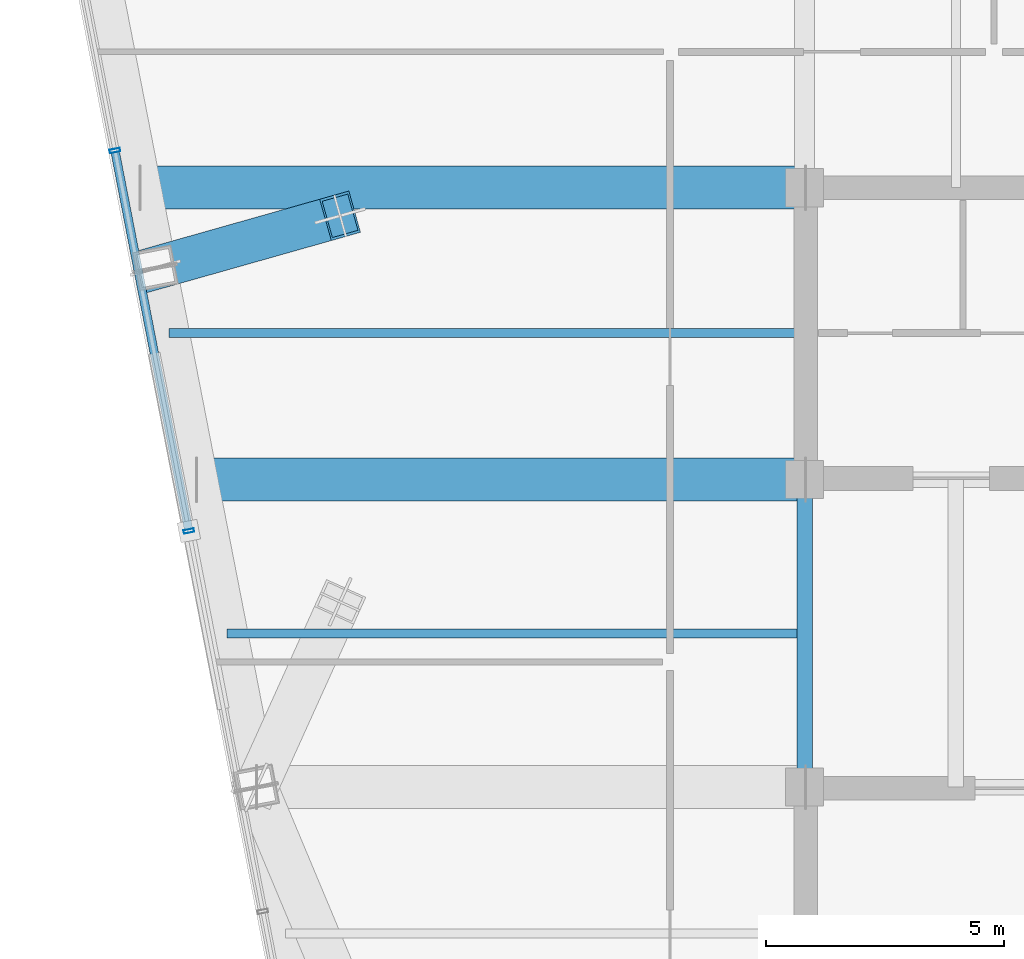
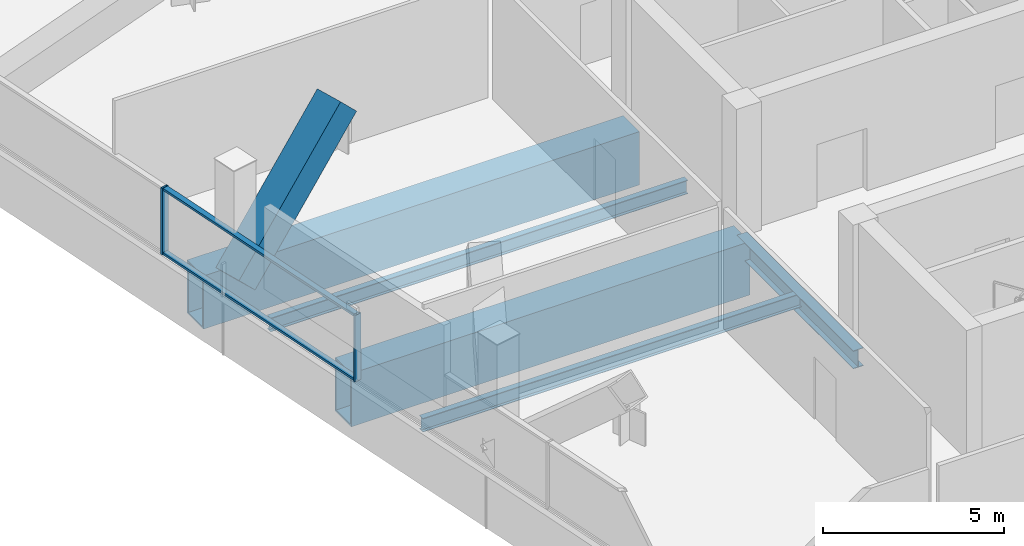
# One storey, part 6 of 26: 5 beams, 5 members, 1 element without a shape of its own.
"""IFC4 building model written with IfcOpenShell, lengths in metres."""

from ifc_helpers import new_model, si_unit, direction, frame, origin, origin_2d, place, context, subcontext, project, spatial, hollow_rectangle, i_section, extrude, material, layer, layer_set, material_profile, profile_set, type_object, element, aggregate, save


model = new_model("IFC4")

# Units and contexts
model_context = context("Model", 3, precision=1e-05, world=origin(), true_north=direction((0.0, 1.0)))
body_context = subcontext(model_context, "Body", "Model", "MODEL_VIEW")
ifc_project = project(units=[si_unit("LENGTHUNIT", "METRE"), si_unit("AREAUNIT", "SQUARE_METRE"), si_unit("VOLUMEUNIT", "CUBIC_METRE"), si_unit("PLANEANGLEUNIT", "RADIAN"), si_unit("MASSUNIT", "GRAM", prefix="KILO")], contexts=[model_context])

# Site, building, storey
site_placement = place(None, origin())
site = spatial("IfcSite", under=ifc_project, at=site_placement, CompositionType="ELEMENT")
building_placement = place(site_placement, origin())
building = spatial("IfcBuilding", under=site, at=building_placement, Name="Qhalaya Broadcast Tower", CompositionType="ELEMENT")
storey_placement = place(building_placement, frame((0.0, 0.0, 140.25)))
storey = spatial("IfcBuildingStorey", under=building, at=storey_placement, Name="L41", CompositionType="ELEMENT", Elevation=140.25)

# Beams
ifc_material_1 = material(Name="Structural Steel ASTM A572 Grade 50", Category="steel")
ifc_material_profile_1 = material_profile(ifc_material_1, hollow_rectangle(XDim=0.89990234375, YDim=1.800048828125, WallThickness=0.06005859375, at=origin_2d()), Name="BOX 900x1800x60")
ifc_profile_set_1 = profile_set([ifc_material_profile_1], Name="Structural Steel ASTM A572 Grade 50")
beam_type_1 = type_object("IfcBeamType", Name="Block Cantilever Transfer Box Girder TG1", PredefinedType="USERDEFINED", material=ifc_profile_set_1)
beam_1_placement = place(storey_placement, frame((-22.115234375, 3.824951171875, -1.1201171875), z_axis=(1.0, 0.0, 0.0), x_axis=(0.0, 1.0, 0.0)))
element("IfcBeam", 1, at=beam_1_placement, inside=storey, type_object=beam_type_1, Name="L41 TG1 L41-PGYW3-1", ObjectType="GIRDER", PredefinedType="USERDEFINED", context=body_context, shape_type="SweptSolid", body=[
    extrude(hollow_rectangle(XDim=0.89990234375, YDim=1.800048828125, WallThickness=0.06005859375, at=origin_2d()), origin(), (0.0, 0.0, 1.0), 12.740234375),
])
beam_2_placement = place(storey_placement, frame((-23.305908203125, 9.949951171875, -1.1201171875), z_axis=(1.0, 0.0, 0.0), x_axis=(0.0, 1.0, 0.0)))
element("IfcBeam", 2, at=beam_2_placement, inside=storey, type_object=beam_type_1, Name="L41 TG1 L41-PGYW4-1", ObjectType="GIRDER", PredefinedType="USERDEFINED", context=body_context, shape_type="SweptSolid", body=[
    extrude(hollow_rectangle(XDim=0.89990234375, YDim=1.800048828125, WallThickness=0.06005859375, at=origin_2d()), origin(), (0.0, 0.0, 1.0), 13.930908203125),
])
ifc_material_2 = material(Name="Structural Steel ASTM A992 Grade 50", Category="steel")
ifc_material_profile_2 = material_profile(ifc_material_2, i_section(OverallWidth=0.19189453125, OverallDepth=0.462890625, WebThickness=0.010498046875, FlangeThickness=0.017578125, at=origin_2d()), Name="W18X60")
ifc_profile_set_2 = profile_set([ifc_material_profile_2], Name="Structural Steel ASTM A992 Grade 50")
beam_type_2 = type_object("IfcBeamType", Name="Composite Floor Joist J03", PredefinedType="JOIST", material=ifc_profile_set_2)
beam_3_placement = place(storey_placement, frame((-21.48828125, 0.60009765625, -0.451416015625), z_axis=(1.0, 0.0, 0.0), x_axis=(0.0, 1.0, 0.0)))
element("IfcBeam", 3, at=beam_3_placement, inside=storey, type_object=beam_type_2, Name="L41 J03 L41-JWE4W-1", PredefinedType="JOIST", context=body_context, shape_type="SweptSolid", body=[
    extrude(i_section(OverallWidth=0.19189453125, OverallDepth=0.462890625, WebThickness=0.010498046875, FlangeThickness=0.017578125, at=origin_2d()), origin(), (0.0, 0.0, 1.0), 12.11328125),
])
beam_4_placement = place(storey_placement, frame((-22.712890625, 6.89990234375, -0.451416015625), z_axis=(1.0, 0.0, 0.0), x_axis=(0.0, 1.0, 0.0)))
element("IfcBeam", 4, at=beam_4_placement, inside=storey, type_object=beam_type_2, Name="L41 J03 L41-JWE5W-1", PredefinedType="JOIST", context=body_context, shape_type="SweptSolid", body=[
    extrude(i_section(OverallWidth=0.19189453125, OverallDepth=0.462890625, WebThickness=0.010498046875, FlangeThickness=0.017578125, at=origin_2d()), origin(), (0.0, 0.0, 1.0), 13.337890625),
])
ifc_material_profile_3 = material_profile(ifc_material_2, i_section(OverallWidth=0.323974609375, OverallDepth=0.612060546875, WebThickness=0.0126953125, FlangeThickness=0.01904296875, at=origin_2d()), Name="W24X104")
ifc_profile_set_3 = profile_set([ifc_material_profile_3], Name="Structural Steel ASTM A992 Grade 50")
beam_type_3 = type_object("IfcBeamType", Name="Core Frame Tie Beam B04", PredefinedType="BEAM", material=ifc_profile_set_3)
beam_5_placement = place(storey_placement, frame((-9.375, -2.625, -0.52587890625), z_axis=(0.0, 1.0, 0.0), x_axis=(-1.0, 0.0, 0.0)))
element("IfcBeam", 5, at=beam_5_placement, inside=storey, type_object=beam_type_3, Name="L41 B04 L41-CCW", PredefinedType="BEAM", context=body_context, shape_type="SweptSolid", body=[
    extrude(i_section(OverallWidth=0.323974609375, OverallDepth=0.612060546875, WebThickness=0.0126953125, FlangeThickness=0.01904296875, at=origin_2d()), origin(), (0.0, 0.0, 1.0), 6.449951171875),
])

# Member
ifc_material_profile_4 = material_profile(ifc_material_1, hollow_rectangle(XDim=0.89990234375, YDim=0.89990234375, WallThickness=0.054931640625, at=origin_2d()), Name="BOX 900x900x55")
ifc_profile_set_4 = profile_set([ifc_material_profile_4], Name="Structural Steel ASTM A572 Grade 50")
member_type_1 = type_object("IfcMemberType", Name="Heavy Exoskeleton Transfer Strut RK1", PredefinedType="BRACE", material=ifc_profile_set_4)
member_1_placement = place(storey_placement, frame((-22.998291015625, 8.263427734375, 0.32861328125), z_axis=(0.681165141575, 0.192621581112, 0.706336305447), x_axis=(-0.272111877339, 0.962265621443, 0.0)))
element("IfcMember", 6, at=member_1_placement, inside=storey, type_object=member_type_1, Name="L41 Inclined Exoskeleton Transfer Strut 14", PredefinedType="BRACE", context=body_context, shape_type="SweptSolid", body=[
    extrude(hollow_rectangle(XDim=0.89990234375, YDim=0.89990234375, WallThickness=0.054931640625, at=origin_2d()), origin(), (0.0, 0.0, 1.0), 5.693359375),
])

# Curtain wall, members
ifc_material_3 = material(Name="Fired Architectural Terracotta", Category="masonry")
ifc_layer = layer(ifc_material_3, 0.219970703125, Name="Fired Architectural Terracotta")
ifc_layer_set = layer_set([ifc_layer], Name="Fired Architectural Terracotta")
curtain_wall_type = type_object("IfcCurtainWallType", Name="Block-Cap Unitised Terracotta Spandrel Wall CW-07", PredefinedType="NOTDEFINED", material=ifc_layer_set)
curtain_wall_placement = place(storey_placement, origin())
curtain_wall = element("IfcCurtainWall", 7, at=curtain_wall_placement, inside=storey, type_object=curtain_wall_type, Name="L41 Unitised Curtain Wall L41-CW-W", PredefinedType="NOTDEFINED")
ifc_material_4 = material(Name="Anodised Aluminium 6063-T6", Category="aluminium")
ifc_material_profile_5 = material_profile(ifc_material_4, hollow_rectangle(XDim=0.074951171875, YDim=0.219970703125, WallThickness=0.00390625, at=origin_2d()), Name="ALU-MUL 75x220x4")
ifc_profile_set_5 = profile_set([ifc_material_profile_5], Name="Anodised Aluminium 6063-T6")
member_type_2 = type_object("IfcMemberType", Name="Unitised Curtain-Wall Mullion M01", PredefinedType="MULLION", material=ifc_profile_set_5)
member_2_placement = place(storey_placement, frame((-22.292724609375, 2.74658203125, 0.0), z_axis=(0.0, 0.0, 1.0), x_axis=(-0.190810076719, 0.981626973255, 0.0)))
member_2 = element("IfcMember", 8, at=member_2_placement, type_object=member_type_2, Name="CW-07 mullion 3", PredefinedType="MULLION", context=body_context, shape_type="SweptSolid", body=[
    extrude(hollow_rectangle(XDim=0.074951171875, YDim=0.219970703125, WallThickness=0.00390625, at=origin_2d()), origin(), (0.0, 0.0, 1.0), 2.25),
])
member_3_placement = place(storey_placement, frame((-23.84423828125, 10.728271484375, 0.0), z_axis=(0.0, 0.0, 1.0), x_axis=(-0.190810076719, 0.981626973255, 0.0)))
member_3 = element("IfcMember", 9, at=member_3_placement, type_object=member_type_2, Name="CW-07 mullion 4", PredefinedType="MULLION", context=body_context, shape_type="SweptSolid", body=[
    extrude(hollow_rectangle(XDim=0.074951171875, YDim=0.219970703125, WallThickness=0.00390625, at=origin_2d()), origin(), (0.0, 0.0, 1.0), 2.25),
])
ifc_material_profile_6 = material_profile(ifc_material_4, hollow_rectangle(XDim=0.074951171875, YDim=0.179931640625, WallThickness=0.00390625, at=origin_2d()), Name="ALU-TRN 75x180x4")
ifc_profile_set_6 = profile_set([ifc_material_profile_6], Name="Anodised Aluminium 6063-T6")
member_type_3 = type_object("IfcMemberType", Name="Unitised Curtain-Wall Transom T01", PredefinedType="USERDEFINED", material=ifc_profile_set_6)
member_4_placement = place(storey_placement, frame((-22.2998046875, 2.783447265625, 0.03759765625), z_axis=(-0.190833157289, 0.981622486539, 0.0), x_axis=(0.0, 0.0, 1.0)))
member_4 = element("IfcMember", 10, at=member_4_placement, type_object=member_type_3, Name="CW-07 transom 3.1", ObjectType="TRANSOM", PredefinedType="USERDEFINED", context=body_context, shape_type="SweptSolid", body=[
    extrude(hollow_rectangle(XDim=0.074951171875, YDim=0.179931640625, WallThickness=0.00390625, at=origin_2d()), origin(), (0.0, 0.0, 1.0), 8.055908203125),
])
member_5_placement = place(storey_placement, frame((-22.2998046875, 2.783447265625, 2.21240234375), z_axis=(-0.190833157289, 0.981622486539, 0.0), x_axis=(0.0, 0.0, 1.0)))
member_5 = element("IfcMember", 11, at=member_5_placement, type_object=member_type_3, Name="CW-07 transom 3.2", ObjectType="TRANSOM", PredefinedType="USERDEFINED", context=body_context, shape_type="SweptSolid", body=[
    extrude(hollow_rectangle(XDim=0.074951171875, YDim=0.179931640625, WallThickness=0.00390625, at=origin_2d()), origin(), (0.0, 0.0, 1.0), 8.055908203125),
])
aggregate(curtain_wall, [member_2, member_3, member_4, member_5])

save(model, "model.ifc")
